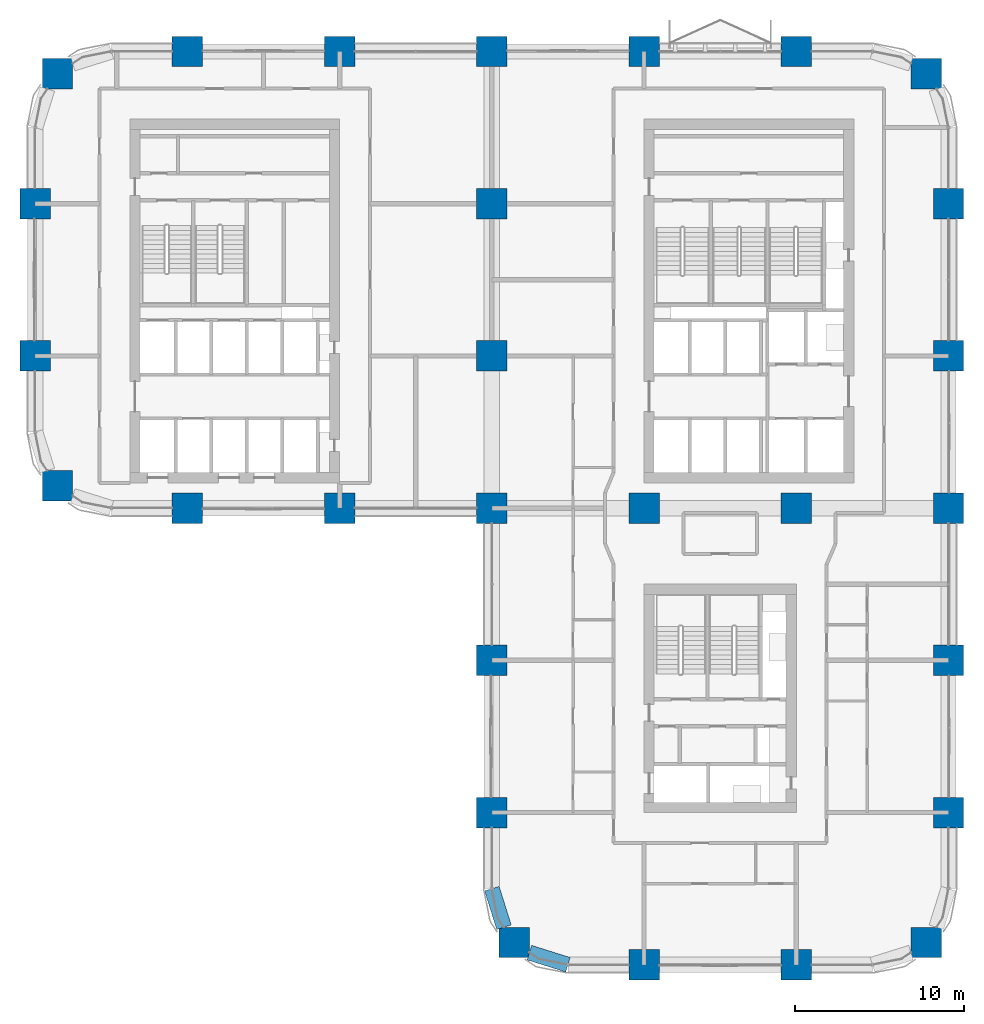
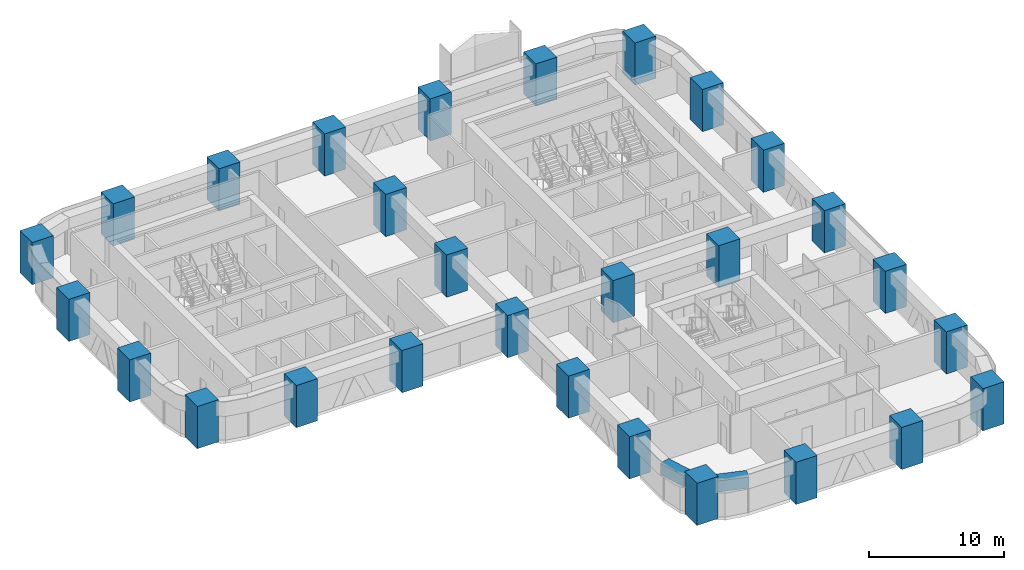
# One storey, part 1 of 26: 28 columns, 2 beams.
"""IFC4 building model written with IfcOpenShell, lengths in metres."""

from ifc_helpers import new_model, si_unit, direction, frame, origin, origin_2d, place, context, subcontext, project, spatial, rectangle, extrude, material, material_profile, profile_set, type_object, element, save


model = new_model("IFC4")

# Units and contexts
model_context = context("Model", 3, precision=1e-05, world=origin(), true_north=direction((0.0, 1.0)))
body_context = subcontext(model_context, "Body", "Model", "MODEL_VIEW")
ifc_project = project(units=[si_unit("LENGTHUNIT", "METRE"), si_unit("AREAUNIT", "SQUARE_METRE"), si_unit("VOLUMEUNIT", "CUBIC_METRE"), si_unit("PLANEANGLEUNIT", "RADIAN"), si_unit("MASSUNIT", "GRAM", prefix="KILO")], contexts=[model_context])

# Site, building, storey
site_placement = place(None, origin())
site = spatial("IfcSite", under=ifc_project, at=site_placement, CompositionType="ELEMENT")
building_placement = place(site_placement, origin())
building = spatial("IfcBuilding", under=site, at=building_placement, Name="Tessera Arch", CompositionType="ELEMENT")
storey_placement = place(building_placement, frame((0.0, 0.0, 96.800048828125)))
storey = spatial("IfcBuildingStorey", under=building, at=storey_placement, Name="L22", CompositionType="ELEMENT", Elevation=96.800048828125)

# Columns
ifc_material_1 = material(Name="Concrete C80/95", Category="concrete")
ifc_material_profile_1 = material_profile(ifc_material_1, rectangle(XDim=1.800048828125, YDim=1.800048828125, at=origin_2d()), Name="RC column 1800 x 1800 Concrete C80/95")
ifc_profile_set_1 = profile_set([ifc_material_profile_1], Name="Concrete C80/95")
column_type = type_object("IfcColumnType", Name="RC column 1800 x 1800 Concrete C80/95", PredefinedType="COLUMN", material=ifc_profile_set_1)
for number, where, z_axis, x_axis, name in (
    (1, (1.318115234375, 28.318115234375, 0.0), (0.0, 0.0, 1.0), (1.0, 0.0, 0.0), "Column C1D L22"),
    (2, (0.0, 36.0, 0.0), (0.0, 0.0, 1.0), (1.0, 0.0, 0.0), "Column C1E L22"),
    (3, (0.0, 45.0, 0.0), (0.0, 0.0, 1.0), (1.0, 0.0, 0.0), "Column C1F L22"),
    (4, (1.318115234375, 52.681884765625, 0.0), (0.0, 0.0, 1.0), (1.0, 0.0, 0.0), "Column C1G L22"),
    (5, (9.0, 27.0, 0.0), (0.0, 0.0, 1.0), (1.0, 0.0, 0.0), "Column C2D L22"),
    (6, (9.0, 54.0, 0.0), (0.0, 0.0, 1.0), (1.0, 0.0, 0.0), "Column C2G L22"),
    (7, (18.0, 27.0, 0.0), (0.0, 0.0, 1.0), (1.0, 0.0, 0.0), "Column C3D L22"),
    (8, (18.0, 54.0, 0.0), (0.0, 0.0, 1.0), (1.0, 0.0, 0.0), "Column C3G L22"),
    (9, (28.318115234375, 1.318115234375, 0.0), (0.0, 0.0, 1.0), (1.0, 0.0, 0.0), "Column C4A L22"),
    (10, (27.0, 9.0, 0.0), (0.0, 0.0, 1.0), (1.0, 0.0, 0.0), "Column C4B L22"),
    (11, (27.0, 18.0, 0.0), (0.0, 0.0, 1.0), (1.0, 0.0, 0.0), "Column C4C L22"),
    (12, (27.0, 27.0, 0.0), (0.0, 0.0, 1.0), (1.0, 0.0, 0.0), "Column C4D L22"),
    (13, (27.0, 36.0, 0.0), (0.0, 0.0, 1.0), (1.0, 0.0, 0.0), "Column C4E L22"),
    (14, (27.0, 45.0, 0.0), (0.0, 0.0, 1.0), (1.0, 0.0, 0.0), "Column C4F L22"),
    (15, (27.0, 54.0, 0.0), (0.0, 0.0, 1.0), (1.0, 0.0, 0.0), "Column C4G L22"),
    (16, (36.0, 0.0, 0.0), (0.0, 0.0, 1.0), (1.0, 0.0, 0.0), "Column C5A L22"),
    (17, (36.0, 27.0, 0.0), (0.0, 0.0, 1.0), (1.0, 0.0, 0.0), "Column C5D L22"),
    (18, (36.0, 54.0, 0.0), (0.0, 0.0, 1.0), (1.0, 0.0, 0.0), "Column C5G L22"),
    (19, (45.0, 0.0, 0.0), (0.0, 0.0, 1.0), (1.0, 0.0, 0.0), "Column C6A L22"),
    (20, (45.0, 27.0, 0.0), (0.0, 0.0, 1.0), (1.0, 0.0, 0.0), "Column C6D L22"),
    (21, (45.0, 54.0, 0.0), (0.0, 0.0, 1.0), (1.0, 0.0, 0.0), "Column C6G L22"),
    (22, (52.681884765625, 1.318115234375, 0.0), (0.0, 0.0, 1.0), (1.0, 0.0, 0.0), "Column C7A L22"),
    (23, (54.0, 9.0, 0.0), (0.0, 0.0, 1.0), (1.0, 0.0, 0.0), "Column C7B L22"),
    (24, (54.0, 18.0, 0.0), (0.0, 0.0, 1.0), (1.0, 0.0, 0.0), "Column C7C L22"),
    (25, (54.0, 27.0, 0.0), (0.0, 0.0, 1.0), (1.0, 0.0, 0.0), "Column C7D L22"),
    (26, (54.0, 36.0, 0.0), (0.0, 0.0, 1.0), (1.0, 0.0, 0.0), "Column C7E L22"),
    (27, (54.0, 45.0, 0.0), (0.0, 0.0, 1.0), (1.0, 0.0, 0.0), "Column C7F L22"),
    (28, (52.681884765625, 52.681884765625, 0.0), (0.0, 0.0, 1.0), (1.0, 0.0, 0.0), "Column C7G L22"),
):
    element("IfcColumn", number, at=place(storey_placement, frame(where, z_axis=z_axis, x_axis=x_axis)), inside=storey, type_object=column_type, Name=name, PredefinedType="COLUMN", context=body_context, shape_type="SweptSolid", body=[
        extrude(rectangle(XDim=1.800048828125, YDim=1.800048828125, at=origin_2d()), origin(), (0.0, 0.0, 1.0), 3.800048828125),
    ])

# Beams
ifc_material_2 = material(Name="Concrete C80/95", Category="concrete")
ifc_material_profile_2 = material_profile(ifc_material_2, rectangle(XDim=0.89990234375, YDim=1.0, at=origin_2d()), Name="RC spandrel beam 900 x 1000 Concrete C80/95")
ifc_profile_set_2 = profile_set([ifc_material_profile_2], Name="Concrete C80/95")
beam_type = type_object("IfcBeamType", Name="RC spandrel beam 900 x 1000 Concrete C80/95", PredefinedType="BEAM", material=ifc_profile_set_2)
for number, where, z_axis, x_axis, name in (
    (29, (27.0, 4.5, 3.0), (0.299675309057, -0.954041251279, 0.0), (0.954041251279, 0.299675309057, 0.0), "Spandrel beam L22 W27.0/2.2"),
    (30, (29.218017578125, 0.716796875, 3.0), (0.954041251279, -0.299675309057, 0.0), (0.299675309057, 0.954041251279, 0.0), "Spandrel beam L22 S0.27/0.1"),
):
    element("IfcBeam", number, at=place(storey_placement, frame(where, z_axis=z_axis, x_axis=x_axis)), inside=storey, type_object=beam_type, Name=name, PredefinedType="BEAM", context=body_context, shape_type="SweptSolid", body=[
        extrude(rectangle(XDim=0.89990234375, YDim=1.0, at=origin_2d()), origin(), (0.0, 0.0, 1.0), 2.391845703125),
    ])

save(model, "model.ifc")
